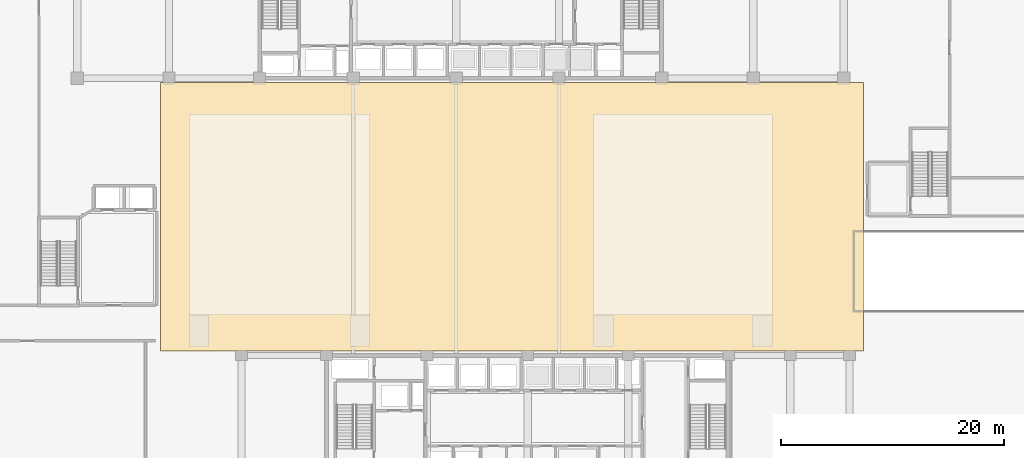
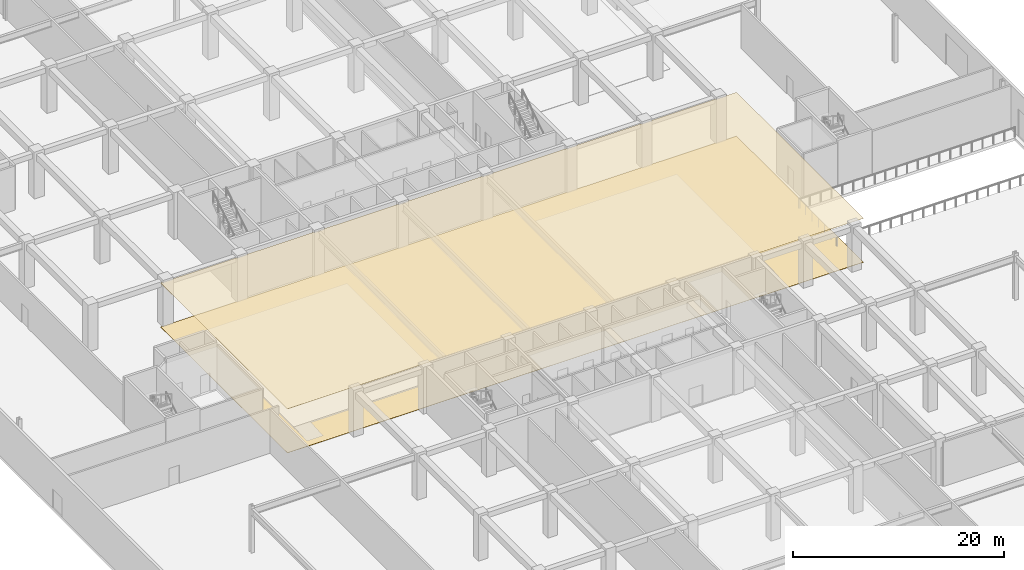
# One storey, part 39 of 46: 2 coverings.
"""IFC4 building model written with IfcOpenShell, lengths in metres."""

from ifc_helpers import new_model, si_unit, direction, frame, origin, place, context, subcontext, project, spatial, polyline, outline, extrude, material, layer, layer_set, type_object, element, save


model = new_model("IFC4")

# Units and contexts
model_context = context("Model", 3, precision=1e-05, world=origin(), true_north=direction((0.0, 1.0)))
body_context = subcontext(model_context, "Body", "Model", "MODEL_VIEW")
ifc_project = project(units=[si_unit("LENGTHUNIT", "METRE"), si_unit("AREAUNIT", "SQUARE_METRE"), si_unit("VOLUMEUNIT", "CUBIC_METRE"), si_unit("PLANEANGLEUNIT", "RADIAN"), si_unit("MASSUNIT", "GRAM", prefix="KILO")], contexts=[model_context])

# Site, building, storey
site_placement = place(None, origin())
site = spatial("IfcSite", under=ifc_project, at=site_placement, CompositionType="ELEMENT")
building_placement = place(site_placement, origin())
building = spatial("IfcBuilding", under=site, at=building_placement, Name="Korimba Cascade Residences", CompositionType="ELEMENT")
storey_placement = place(building_placement, origin())
storey = spatial("IfcBuildingStorey", under=building, at=storey_placement, Name="L00", CompositionType="ELEMENT", Elevation=0.0)

# Coverings
ifc_material_1 = material(Name="Perforated Acoustic Gypsum Ceiling", Category="gypsum")
ifc_layer_1 = layer(ifc_material_1, 0.02490234375)
ifc_layer_set_1 = layer_set([ifc_layer_1], Name="Perforated Acoustic Gypsum Ceiling")
covering_type_1 = type_object("IfcCoveringType", Name="COV-CLG-AC", PredefinedType="CEILING", material=ifc_layer_set_1)
covering_1_placement = place(storey_placement, frame((0.0, 0.0, 5.074951171875)))
element("IfcCovering", 1, at=covering_1_placement, inside=storey, type_object=covering_type_1, Name="L00 Suspended Acoustic Ceiling L00-CC1", PredefinedType="CEILING", context=body_context, shape_type="SweptSolid", body=[
    extrude(outline(polyline([(67.25, 30.800048828125), (130.14990234375, 30.800048828125), (130.14990234375, 54.800048828125), (67.25, 54.800048828125), (67.25, 30.800048828125)])), origin(), (0.0, 0.0, 1.0), 0.025146484375),
])
ifc_material_2 = material(Name="Honed Travertine Stone Flooring", Category="masonry")
ifc_layer_2 = layer(ifc_material_2, 0.02490234375)
ifc_layer_set_2 = layer_set([ifc_layer_2], Name="Honed Travertine Stone Flooring")
covering_type_2 = type_object("IfcCoveringType", Name="COV-FLR-STN", PredefinedType="FLOORING", material=ifc_layer_set_2)
covering_2_placement = place(storey_placement, origin())
element("IfcCovering", 2, at=covering_2_placement, inside=storey, type_object=covering_type_2, Name="L00 Honed Travertine Stone Flooring L00-CC1", PredefinedType="FLOORING", context=body_context, shape_type="SweptSolid", body=[
    extrude(outline(polyline([(67.25, 30.800048828125), (130.14990234375, 30.800048828125), (130.14990234375, 54.800048828125), (67.25, 54.800048828125), (67.25, 30.800048828125)])), origin(), (0.0, 0.0, 1.0), 0.02490234375),
])

save(model, "model.ifc")
